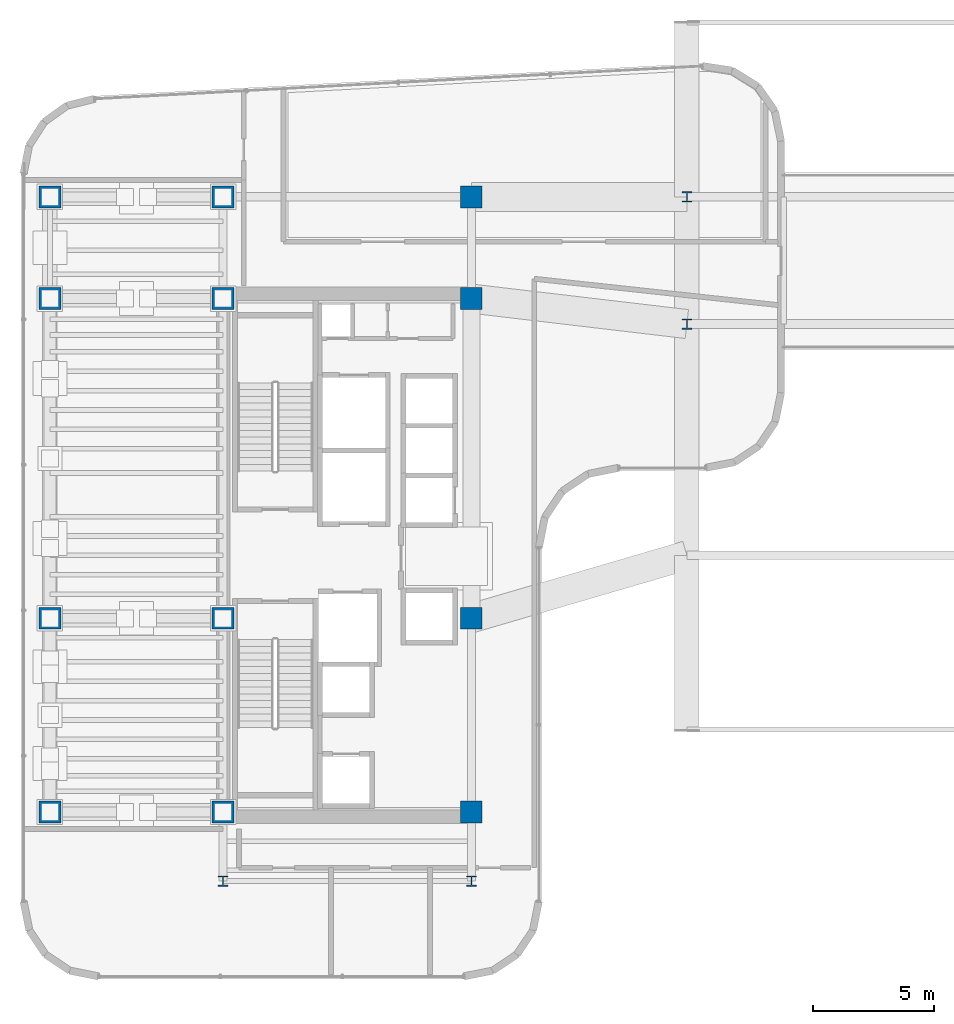
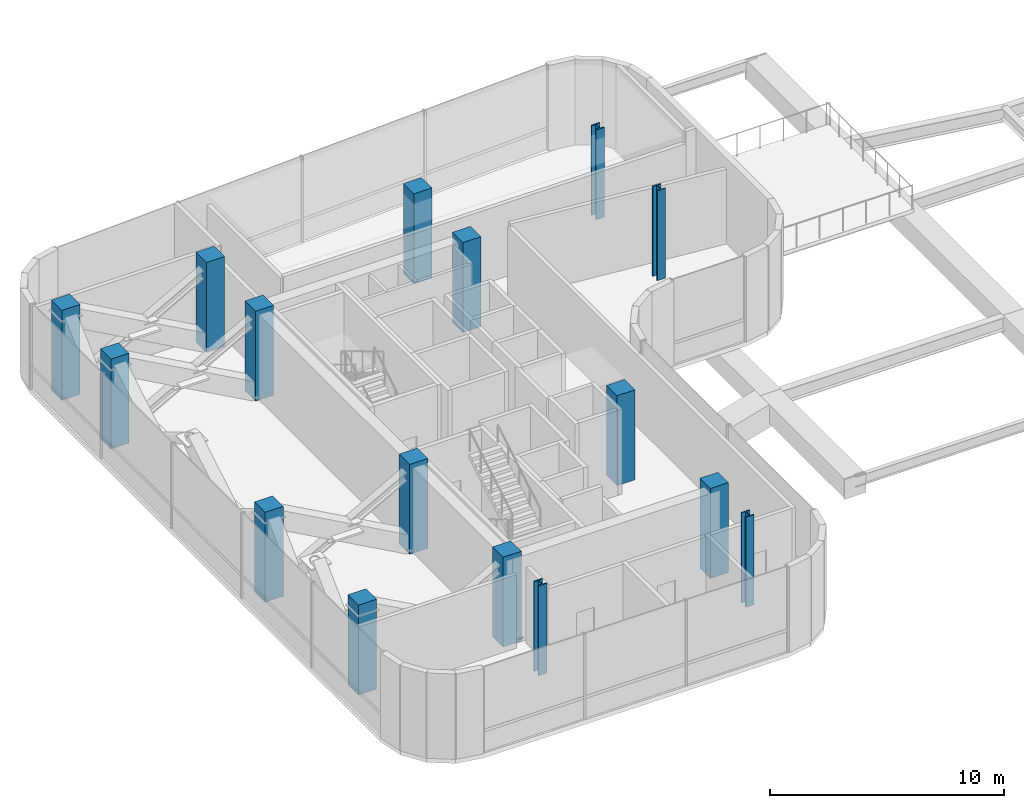
# One storey, part 1 of 20: 16 columns.
"""IFC4 building model written with IfcOpenShell, lengths in metres."""

from ifc_helpers import new_model, si_unit, direction, frame, origin, origin_2d, place, context, subcontext, project, spatial, rectangle, i_section, extrude, source, transform, mapped, material, material_profile, profile_set, type_object, element, save


model = new_model("IFC4")

# Units and contexts
model_context = context("Model", 3, precision=1e-05, world=origin(), true_north=direction((0.0, 1.0)))
body_context = subcontext(model_context, "Body", "Model", "MODEL_VIEW")
ifc_project = project(units=[si_unit("LENGTHUNIT", "METRE"), si_unit("AREAUNIT", "SQUARE_METRE"), si_unit("VOLUMEUNIT", "CUBIC_METRE"), si_unit("PLANEANGLEUNIT", "RADIAN"), si_unit("MASSUNIT", "GRAM", prefix="KILO")], contexts=[model_context])

# Site, building, storey
site_placement = place(None, origin())
site = spatial("IfcSite", under=ifc_project, at=site_placement, CompositionType="ELEMENT")
building_placement = place(site_placement, origin())
building = spatial("IfcBuilding", under=site, at=building_placement, Name="Valdorenza Pilgrim Sanctuary Tower", CompositionType="ELEMENT")
storey_placement = place(building_placement, frame((0.0, 0.0, 196.300048828125)))
storey = spatial("IfcBuildingStorey", under=building, at=storey_placement, Name="L50", CompositionType="ELEMENT", Elevation=196.300048828125)

# Columns
ifc_material_1 = material(Name="Concrete C50/60", Category="concrete")
ifc_material_profile_1 = material_profile(ifc_material_1, rectangle(XDim=0.89990234375, YDim=0.89990234375, at=origin_2d()), Name="RC 900x900")
ifc_profile_set_1 = profile_set([ifc_material_profile_1], Name="Concrete C50/60")
column_type_1 = type_object("IfcColumnType", Name="COL-Z4A-900", PredefinedType="COLUMN", material=ifc_profile_set_1)
shared_shape_1 = source(origin(), body_context, "Body", "SweptSolid", [
    extrude(rectangle(XDim=0.89990234375, YDim=0.89990234375, at=origin_2d()), origin(), (0.0, 0.0, 1.0), 4.699951171875),
])
for number, where, z_axis, x_axis, name in (
    (1, (-29.800048828125, -10.60009765625, 0.0), (0.0, 0.0, 1.0), (1.0, 0.0, 0.0), "L50 Perimeter Column WA-W-S1"),
    (2, (-22.64990234375, -10.60009765625, 0.0), (0.0, 0.0, 1.0), (1.0, 0.0, 0.0), "L50 Column CA-W-S1"),
    (3, (-12.39990234375, -10.60009765625, 0.0), (0.0, 0.0, 1.0), (1.0, 0.0, 0.0), "L50 Column CA-E-S1"),
    (4, (-29.800048828125, -2.60009765625, 0.0), (0.0, 0.0, 1.0), (1.0, 0.0, 0.0), "L50 Perimeter Column WA-W-M0"),
    (5, (-22.64990234375, -2.60009765625, 0.0), (0.0, 0.0, 1.0), (1.0, 0.0, 0.0), "L50 Column CA-W-M0"),
    (6, (-12.39990234375, -2.60009765625, 0.0), (0.0, 0.0, 1.0), (1.0, 0.0, 0.0), "L50 Column CA-E-M0"),
    (7, (-29.800048828125, 10.60009765625, 0.0), (0.0, 0.0, 1.0), (1.0, 0.0, 0.0), "L50 Perimeter Column WA-W-N1"),
    (8, (-22.64990234375, 10.60009765625, 0.0), (0.0, 0.0, 1.0), (1.0, 0.0, 0.0), "L50 Column CA-W-N1"),
    (9, (-12.39990234375, 10.60009765625, 0.0), (0.0, 0.0, 1.0), (1.0, 0.0, 0.0), "L50 Column CA-E-N1"),
    (10, (-29.800048828125, 14.800048828125, 0.0), (0.0, 0.0, 1.0), (1.0, 0.0, 0.0), "L50 Perimeter Column WA-W-N2"),
    (11, (-22.64990234375, 14.800048828125, 0.0), (0.0, 0.0, 1.0), (1.0, 0.0, 0.0), "L50 Column CA-W-N2"),
    (12, (-12.39990234375, 14.800048828125, 0.0), (0.0, 0.0, 1.0), (1.0, 0.0, 0.0), "L50 Column CA-E-N2"),
):
    element("IfcColumn", number, at=place(storey_placement, frame(where, z_axis=z_axis, x_axis=x_axis)), inside=storey, type_object=column_type_1, Name=name, PredefinedType="COLUMN", context=body_context, shape_type="MappedRepresentation", body=[
        mapped(shared_shape_1, transform((0.0, 0.0, 0.0), x_axis=(1.0, 0.0, 0.0), y_axis=(0.0, 1.0, 0.0), z_axis=(0.0, 0.0, 1.0), scale=1.0)),
    ])
ifc_material_2 = material(Name="Steel ASTM A992 Grade 50", Category="steel")
ifc_material_profile_2 = material_profile(ifc_material_2, i_section(OverallWidth=0.412109375, OverallDepth=0.43505859375, WebThickness=0.035888671875, FlangeThickness=0.057373046875, at=origin_2d()), Name="W14X311")
ifc_profile_set_2 = profile_set([ifc_material_profile_2], Name="Steel ASTM A992 Grade 50")
column_type_2 = type_object("IfcColumnType", Name="COL-STL-W311", PredefinedType="COLUMN", material=ifc_profile_set_2)
shared_shape_2 = source(origin(), body_context, "Body", "SweptSolid", [
    extrude(i_section(OverallWidth=0.412109375, OverallDepth=0.43505859375, WebThickness=0.035888671875, FlangeThickness=0.057373046875, at=origin_2d()), origin(), (0.0, 0.0, 1.0), 4.699951171875),
])
for number, where, z_axis, x_axis, name in (
    (13, (-22.64990234375, -13.449951171875, 0.0), (0.0, 0.0, 1.0), (1.0, 0.0, 0.0), "L50 Column WA-S-W"),
    (14, (-12.39990234375, -13.449951171875, 0.0), (0.0, 0.0, 1.0), (1.0, 0.0, 0.0), "L50 Column WA-S-E"),
    (15, (-3.5, 9.550048828125, 0.0), (0.0, 0.0, 1.0), (1.0, 0.0, 0.0), "L50 Column UWA-K1"),
    (16, (-3.5, 14.800048828125, 0.0), (0.0, 0.0, 1.0), (1.0, 0.0, 0.0), "L50 Column UWA-K2"),
):
    element("IfcColumn", number, at=place(storey_placement, frame(where, z_axis=z_axis, x_axis=x_axis)), inside=storey, type_object=column_type_2, Name=name, PredefinedType="COLUMN", context=body_context, shape_type="MappedRepresentation", body=[
        mapped(shared_shape_2, transform((0.0, 0.0, 0.0), x_axis=(1.0, 0.0, 0.0), y_axis=(0.0, 1.0, 0.0), z_axis=(0.0, 0.0, 1.0), scale=1.0)),
    ])

save(model, "model.ifc")
